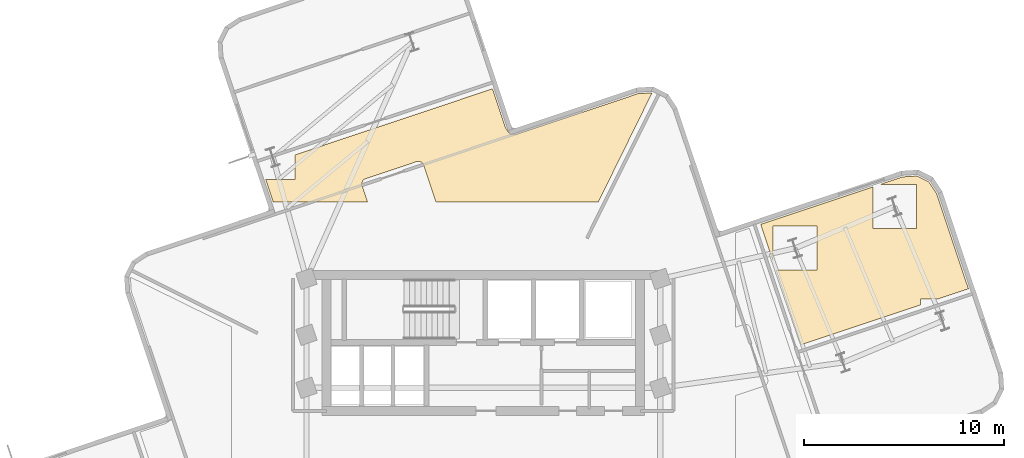
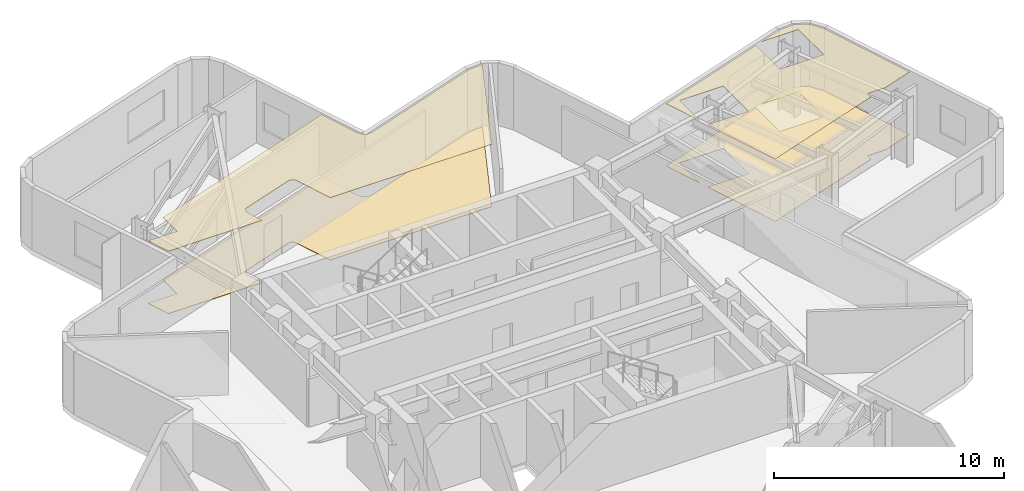
# One storey, part 8 of 8: 4 coverings.
"""IFC4 building model written with IfcOpenShell, lengths in metres."""

from ifc_helpers import new_model, si_unit, direction, frame, origin, place, context, subcontext, project, spatial, polyline, outline, extrude, material, layer, layer_set, type_object, element, save


model = new_model("IFC4")

# Units and contexts
model_context = context("Model", 3, precision=1e-05, world=origin(), true_north=direction((0.0, 1.0)))
body_context = subcontext(model_context, "Body", "Model", "MODEL_VIEW")
ifc_project = project(units=[si_unit("LENGTHUNIT", "METRE"), si_unit("AREAUNIT", "SQUARE_METRE"), si_unit("VOLUMEUNIT", "CUBIC_METRE"), si_unit("PLANEANGLEUNIT", "RADIAN"), si_unit("MASSUNIT", "GRAM", prefix="KILO")], contexts=[model_context])

# Site, building, storey
site_placement = place(None, origin())
site = spatial("IfcSite", under=ifc_project, at=site_placement, CompositionType="ELEMENT")
building_placement = place(site_placement, origin())
building = spatial("IfcBuilding", under=site, at=building_placement, Name="Solmarez Civic Tower", CompositionType="ELEMENT")
storey_placement = place(building_placement, frame((0.0, 0.0, 159.47998046875)))
storey = spatial("IfcBuildingStorey", under=building, at=storey_placement, Name="L42", CompositionType="ELEMENT", Elevation=159.47998046875)

# Coverings
ifc_material_1 = material(Name="Perforated Mineral-Fibre Acoustic Ceiling")
ifc_layer_1 = layer(ifc_material_1, 0.02490234375)
ifc_layer_set_1 = layer_set([ifc_layer_1], Name="Perforated Mineral-Fibre Acoustic Ceiling")
covering_type_1 = type_object("IfcCoveringType", Name="COV-CEIL-ACOUSTIC", PredefinedType="CEILING", material=ifc_layer_set_1)
covering_1_placement = place(storey_placement, frame((0.0, 0.0, 3.31494140625)))
element("IfcCovering", 1, at=covering_1_placement, inside=storey, type_object=covering_type_1, Name="L42 Suspended Acoustic Ceiling 1", PredefinedType="CEILING", context=body_context, shape_type="SweptSolid", body=[
    extrude(outline(polyline([(-9.43310546875, 14.549072265625), (-9.43310546875, 13.3330078125), (-10.89404296875, 13.3330078125), (-10.513916015625, 12.199951171875), (-5.7900390625, 12.199951171875), (-6.06298828125, 13.01611328125), (-6.068115234375, 13.030029296875), (-6.072998046875, 13.050048828125), (-6.073974609375, 13.054931640625), (-6.076904296875, 13.075927734375), (-6.077880859375, 13.097900390625), (-6.077880859375, 13.10693359375), (-6.076904296875, 13.12890625), (-6.073974609375, 13.14990234375), (-6.072998046875, 13.155029296875), (-6.072021484375, 13.159912109375), (-6.06494140625, 13.18701171875), (-6.06201171875, 13.196044921875), (-6.053955078125, 13.215087890625), (-6.044921875, 13.23291015625), (-6.0400390625, 13.241943359375), (-6.030029296875, 13.259033203125), (-6.01708984375, 13.27490234375), (-6.00390625, 13.291015625), (-5.9970703125, 13.298095703125), (-5.97802734375, 13.31396484375), (-5.9580078125, 13.3291015625), (-5.949951171875, 13.333984375), (-5.922119140625, 13.347900390625), (-5.9130859375, 13.35205078125), (-5.89404296875, 13.360107421875), (-3.3359375, 14.216064453125), (-3.322021484375, 14.220947265625), (-3.302001953125, 14.22607421875), (-3.297119140625, 14.22705078125), (-3.27587890625, 14.22998046875), (-3.25390625, 14.23095703125), (-3.2451171875, 14.23095703125), (-3.222900390625, 14.22998046875), (-3.201904296875, 14.22705078125), (-3.197021484375, 14.22607421875), (-3.19189453125, 14.22509765625), (-3.1650390625, 14.218017578125), (-3.156005859375, 14.215087890625), (-3.134033203125, 14.2060546875), (-3.113037109375, 14.195068359375), (-3.10791015625, 14.19189453125), (-3.092041015625, 14.180908203125), (-3.077880859375, 14.169921875), (-3.072021484375, 14.1650390625), (-3.06201171875, 14.156982421875), (-3.048095703125, 14.14306640625), (-3.034912109375, 14.126953125), (-3.02294921875, 14.111083984375), (-3.01806640625, 14.10302734375), (-3.00390625, 14.074951171875), (-3.0, 14.06591796875), (-2.991943359375, 14.047119140625), (-2.3740234375, 12.199951171875), (5.75390625, 12.199951171875), (8.43505859375, 17.65087890625), (8.428955078125, 17.654052734375), (7.720947265625, 17.610107421875), (1.748046875, 15.611083984375), (1.738037109375, 15.60791015625), (1.73095703125, 15.60595703125), (1.701904296875, 15.60009765625), (1.695068359375, 15.59912109375), (1.68798828125, 15.597900390625), (1.6708984375, 15.595947265625), (1.4990234375, 15.5849609375), (1.485107421875, 15.5849609375), (1.47802734375, 15.5849609375), (1.450927734375, 15.5869140625), (1.43896484375, 15.587890625), (1.431884765625, 15.589111328125), (1.409912109375, 15.593994140625), (1.402099609375, 15.595947265625), (1.385009765625, 15.60107421875), (1.367919921875, 15.60693359375), (1.361083984375, 15.610107421875), (1.35009765625, 15.614990234375), (1.343994140625, 15.617919921875), (1.3330078125, 15.6240234375), (1.325927734375, 15.6279296875), (1.31005859375, 15.637939453125), (1.2939453125, 15.64990234375), (1.2880859375, 15.655029296875), (1.281982421875, 15.659912109375), (1.26708984375, 15.673095703125), (1.25390625, 15.68798828125), (1.2490234375, 15.694091796875), (1.235107421875, 15.712890625), (1.23095703125, 15.718994140625), (1.135986328125, 15.862060546875), (1.132080078125, 15.867919921875), (1.1220703125, 15.885009765625), (1.113037109375, 15.903076171875), (1.110107421875, 15.909912109375), (1.10302734375, 15.927001953125), (1.10107421875, 15.93310546875), (0.45703125, 17.85791015625), (-9.43310546875, 14.549072265625)])), origin(), (0.0, 0.0, 1.0), 0.025146484375),
])
covering_2_placement = place(storey_placement, frame((0.0, 0.0, 3.31494140625)))
element("IfcCovering", 2, at=covering_2_placement, inside=storey, type_object=covering_type_1, Name="L42 Suspended Acoustic Ceiling 5", PredefinedType="CEILING", context=body_context, shape_type="SweptSolid", body=[
    extrude(outline(polyline([(24.261962890625, 7.85400390625), (22.672119140625, 12.60595703125), (22.281005859375, 13.196044921875), (21.68408203125, 13.493896484375), (20.97607421875, 13.450927734375), (19.827880859375, 13.06689453125), (21.676025390625, 13.06689453125), (21.676025390625, 10.866943359375), (19.47607421875, 10.866943359375), (19.47607421875, 12.948974609375), (13.873046875, 11.073974609375), (14.493896484375, 9.218994140625), (14.493896484375, 10.98291015625), (16.694091796875, 10.98291015625), (16.694091796875, 8.782958984375), (14.639892578125, 8.782958984375), (15.887939453125, 5.052001953125), (21.867919921875, 7.052978515625), (21.867919921875, 7.347900390625), (22.75, 7.347900390625), (24.261962890625, 7.85400390625)])), origin(), (0.0, 0.0, 1.0), 0.025146484375),
])
ifc_material_2 = material(Name="Polished Tropical Stone Terrazzo Flooring", Category="masonry")
ifc_layer_2 = layer(ifc_material_2, 0.02001953125)
ifc_layer_set_2 = layer_set([ifc_layer_2], Name="Polished Tropical Stone Terrazzo Flooring")
covering_type_2 = type_object("IfcCoveringType", Name="COV-FLOOR-TERRAZZO", PredefinedType="FLOORING", material=ifc_layer_set_2)
covering_3_placement = place(storey_placement, origin())
element("IfcCovering", 3, at=covering_3_placement, inside=storey, type_object=covering_type_2, Name="L42 Terrazzo Floor Finish 1", PredefinedType="FLOORING", context=body_context, shape_type="SweptSolid", body=[
    extrude(outline(polyline([(-9.43310546875, 14.549072265625), (-9.43310546875, 13.3330078125), (-10.89404296875, 13.3330078125), (-10.513916015625, 12.199951171875), (-5.7900390625, 12.199951171875), (-6.06298828125, 13.01611328125), (-6.068115234375, 13.030029296875), (-6.072998046875, 13.050048828125), (-6.073974609375, 13.054931640625), (-6.076904296875, 13.075927734375), (-6.077880859375, 13.097900390625), (-6.077880859375, 13.10693359375), (-6.076904296875, 13.12890625), (-6.073974609375, 13.14990234375), (-6.072998046875, 13.155029296875), (-6.072021484375, 13.159912109375), (-6.06494140625, 13.18701171875), (-6.06201171875, 13.196044921875), (-6.053955078125, 13.215087890625), (-6.044921875, 13.23291015625), (-6.0400390625, 13.241943359375), (-6.030029296875, 13.259033203125), (-6.01708984375, 13.27490234375), (-6.00390625, 13.291015625), (-5.9970703125, 13.298095703125), (-5.97802734375, 13.31396484375), (-5.9580078125, 13.3291015625), (-5.949951171875, 13.333984375), (-5.922119140625, 13.347900390625), (-5.9130859375, 13.35205078125), (-5.89404296875, 13.360107421875), (-3.3359375, 14.216064453125), (-3.322021484375, 14.220947265625), (-3.302001953125, 14.22607421875), (-3.297119140625, 14.22705078125), (-3.27587890625, 14.22998046875), (-3.25390625, 14.23095703125), (-3.2451171875, 14.23095703125), (-3.222900390625, 14.22998046875), (-3.201904296875, 14.22705078125), (-3.197021484375, 14.22607421875), (-3.19189453125, 14.22509765625), (-3.1650390625, 14.218017578125), (-3.156005859375, 14.215087890625), (-3.134033203125, 14.2060546875), (-3.113037109375, 14.195068359375), (-3.10791015625, 14.19189453125), (-3.092041015625, 14.180908203125), (-3.077880859375, 14.169921875), (-3.072021484375, 14.1650390625), (-3.06201171875, 14.156982421875), (-3.048095703125, 14.14306640625), (-3.034912109375, 14.126953125), (-3.02294921875, 14.111083984375), (-3.01806640625, 14.10302734375), (-3.00390625, 14.074951171875), (-3.0, 14.06591796875), (-2.991943359375, 14.047119140625), (-2.3740234375, 12.199951171875), (5.75390625, 12.199951171875), (8.43505859375, 17.65087890625), (8.428955078125, 17.654052734375), (7.720947265625, 17.610107421875), (1.748046875, 15.611083984375), (1.738037109375, 15.60791015625), (1.73095703125, 15.60595703125), (1.701904296875, 15.60009765625), (1.695068359375, 15.59912109375), (1.68798828125, 15.597900390625), (1.6708984375, 15.595947265625), (1.4990234375, 15.5849609375), (1.485107421875, 15.5849609375), (1.47802734375, 15.5849609375), (1.450927734375, 15.5869140625), (1.43896484375, 15.587890625), (1.431884765625, 15.589111328125), (1.409912109375, 15.593994140625), (1.402099609375, 15.595947265625), (1.385009765625, 15.60107421875), (1.367919921875, 15.60693359375), (1.361083984375, 15.610107421875), (1.35009765625, 15.614990234375), (1.343994140625, 15.617919921875), (1.3330078125, 15.6240234375), (1.325927734375, 15.6279296875), (1.31005859375, 15.637939453125), (1.2939453125, 15.64990234375), (1.2880859375, 15.655029296875), (1.281982421875, 15.659912109375), (1.26708984375, 15.673095703125), (1.25390625, 15.68798828125), (1.2490234375, 15.694091796875), (1.235107421875, 15.712890625), (1.23095703125, 15.718994140625), (1.135986328125, 15.862060546875), (1.132080078125, 15.867919921875), (1.1220703125, 15.885009765625), (1.113037109375, 15.903076171875), (1.110107421875, 15.909912109375), (1.10302734375, 15.927001953125), (1.10107421875, 15.93310546875), (0.45703125, 17.85791015625), (-9.43310546875, 14.549072265625)])), origin(), (0.0, 0.0, 1.0), 0.02001953125),
])
covering_4_placement = place(storey_placement, origin())
element("IfcCovering", 4, at=covering_4_placement, inside=storey, type_object=covering_type_2, Name="L42 Terrazzo Floor Finish 5", PredefinedType="FLOORING", context=body_context, shape_type="SweptSolid", body=[
    extrude(outline(polyline([(24.261962890625, 7.85400390625), (22.672119140625, 12.60595703125), (22.281005859375, 13.196044921875), (21.68408203125, 13.493896484375), (20.97607421875, 13.450927734375), (19.827880859375, 13.06689453125), (21.676025390625, 13.06689453125), (21.676025390625, 10.866943359375), (19.47607421875, 10.866943359375), (19.47607421875, 12.948974609375), (13.873046875, 11.073974609375), (14.493896484375, 9.218994140625), (14.493896484375, 10.98291015625), (16.694091796875, 10.98291015625), (16.694091796875, 8.782958984375), (14.639892578125, 8.782958984375), (15.887939453125, 5.052001953125), (21.867919921875, 7.052978515625), (21.867919921875, 7.347900390625), (22.75, 7.347900390625), (24.261962890625, 7.85400390625)])), origin(), (0.0, 0.0, 1.0), 0.02001953125),
])

save(model, "model.ifc")
